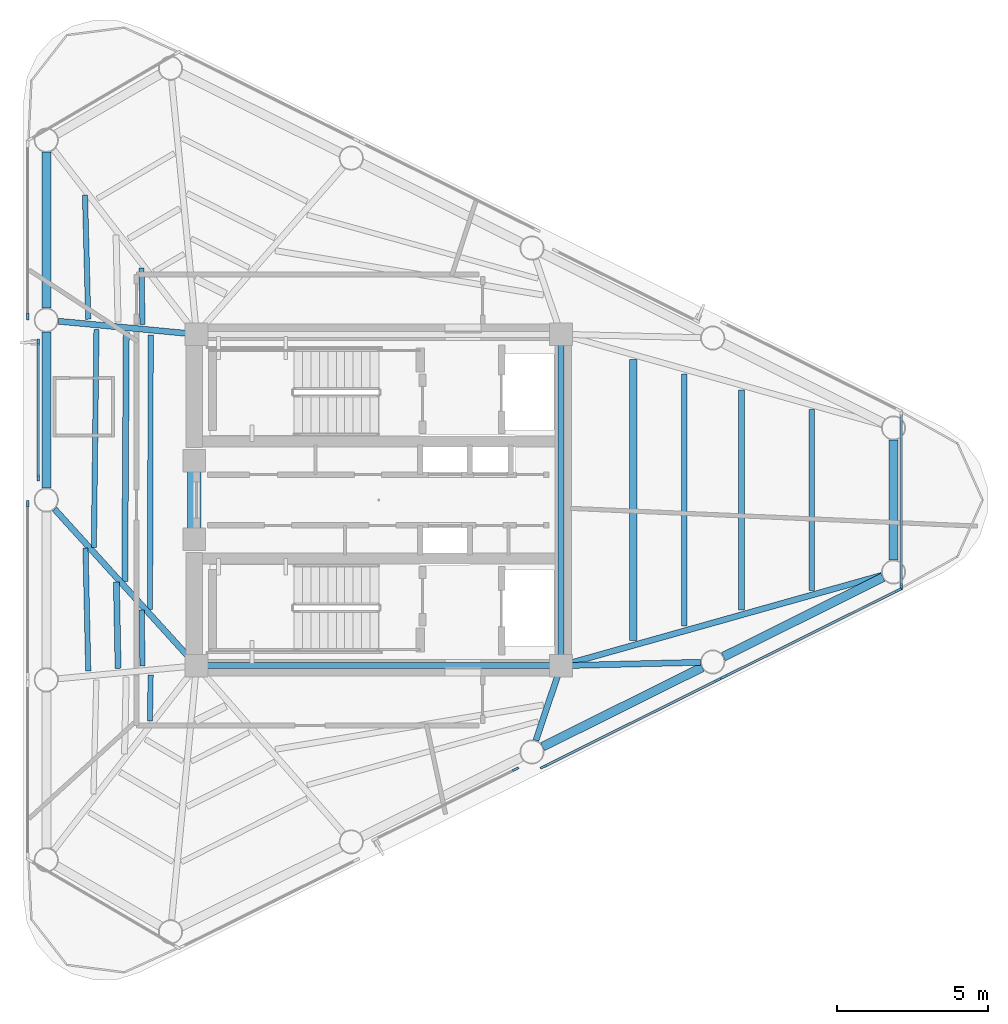
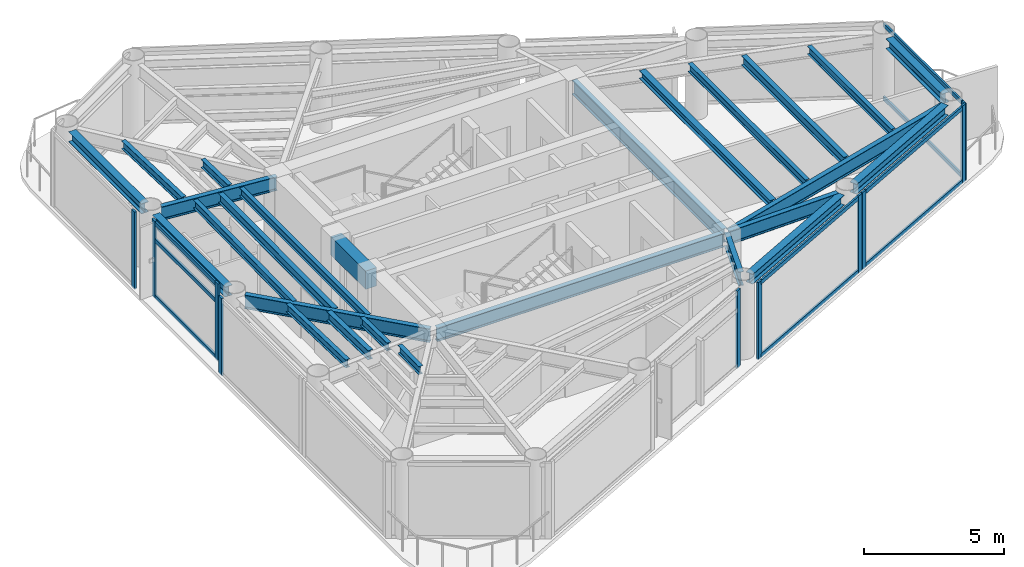
# One storey, part 2 of 10: 26 beams, 19 members, 7 elements without a shape of their own.
"""IFC4 building model written with IfcOpenShell, lengths in metres."""

from ifc_helpers import new_model, si_unit, direction, frame, origin, origin_2d, place, context, subcontext, project, spatial, rectangle, i_section, extrude, source, transform, mapped, material, layer, layer_set, material_profile, profile_set, type_object, element, aggregate, save


model = new_model("IFC4")

# Units and contexts
model_context = context("Model", 3, precision=1e-05, world=origin(), true_north=direction((0.0, 1.0)))
body_context = subcontext(model_context, "Body", "Model", "MODEL_VIEW")
ifc_project = project(units=[si_unit("LENGTHUNIT", "METRE"), si_unit("AREAUNIT", "SQUARE_METRE"), si_unit("VOLUMEUNIT", "CUBIC_METRE"), si_unit("PLANEANGLEUNIT", "RADIAN"), si_unit("MASSUNIT", "GRAM", prefix="KILO")], contexts=[model_context])

# Site, building, storey
site_placement = place(None, origin())
site = spatial("IfcSite", under=ifc_project, at=site_placement, CompositionType="ELEMENT")
building_placement = place(site_placement, origin())
building = spatial("IfcBuilding", under=site, at=building_placement, Name="Yunling Apex Tower", CompositionType="ELEMENT")
storey_placement = place(building_placement, frame((0.0, 0.0, 293.300048828125)))
storey = spatial("IfcBuildingStorey", under=building, at=storey_placement, Name="L71", CompositionType="ELEMENT", Elevation=293.300048828125)

# Beams
ifc_material_1 = material(Name="Concrete C40", Category="concrete")
ifc_material_profile_1 = material_profile(ifc_material_1, rectangle(XDim=0.449951171875, YDim=0.800048828125, at=origin_2d()))
ifc_profile_set_1 = profile_set([ifc_material_profile_1], Name="Concrete C40")
beam_type_1 = type_object("IfcBeamType", Name="BC-CPL-3", PredefinedType="BEAM", material=ifc_profile_set_1)
shared_shape_1 = source(origin(), body_context, "Body", "SweptSolid", [
    extrude(rectangle(XDim=0.449951171875, YDim=0.800048828125, at=origin_2d()), origin(), (0.0, 0.0, 1.0), 2.5),
])
beam_1_placement = place(storey_placement, frame((-6.125, -1.25, 2.869873046875), z_axis=(0.0, 1.0, 0.0), x_axis=(-1.0, 0.0, 0.0)))
element("IfcBeam", 1, at=beam_1_placement, inside=storey, type_object=beam_type_1, Name="L71 Core West Portal Coupling Beam", PredefinedType="BEAM", context=body_context, shape_type="MappedRepresentation", body=[
    mapped(shared_shape_1, transform((0.0, 0.0, 0.0), scale=1.0)),
])
ifc_material_2 = material(Name="Steel Q355B", Category="steel")
ifc_material_profile_2 = material_profile(ifc_material_2, i_section(OverallWidth=0.199951171875, OverallDepth=0.60009765625, WebThickness=0.010986328125, FlangeThickness=0.01708984375, FilletRadius=0.02197265625, at=origin_2d()))
ifc_profile_set_2 = profile_set([ifc_material_profile_2], Name="Steel Q355B")
beam_type_2 = type_object("IfcBeamType", Name="BG-PRI-5", PredefinedType="USERDEFINED", material=ifc_profile_set_2)
shared_shape_2 = source(origin(), body_context, "Body", "SweptSolid", [
    extrude(i_section(OverallWidth=0.199951171875, OverallDepth=0.60009765625, WebThickness=0.010986328125, FlangeThickness=0.01708984375, FilletRadius=0.02197265625, at=origin_2d()), origin(), (0.0, 0.0, 1.0), 11.7998046875),
])
beam_2_placement = place(storey_placement, frame((-5.89990234375, -5.5, 2.969970703125), z_axis=(1.0, 0.0, 0.0), x_axis=(0.0, 1.0, 0.0)))
element("IfcBeam", 2, at=beam_2_placement, inside=storey, type_object=beam_type_2, Name="L71 Core Ring Tie Beam 1", ObjectType="GIRDER", PredefinedType="USERDEFINED", context=body_context, shape_type="MappedRepresentation", body=[
    mapped(shared_shape_2, transform((0.0, 0.0, 0.0), scale=1.0)),
])
shared_shape_3 = source(origin(), body_context, "Body", "SweptSolid", [
    extrude(i_section(OverallWidth=0.199951171875, OverallDepth=0.60009765625, WebThickness=0.010986328125, FlangeThickness=0.01708984375, FilletRadius=0.02197265625, at=origin_2d()), origin(), (0.0, 0.0, 1.0), 10.7001953125),
])
beam_3_placement = place(storey_placement, frame((6.050048828125, -5.35009765625, 2.969970703125), z_axis=(0.0, 1.0, 0.0), x_axis=(-1.0, 0.0, 0.0)))
element("IfcBeam", 3, at=beam_3_placement, inside=storey, type_object=beam_type_2, Name="L71 Core Ring Tie Beam 2", ObjectType="GIRDER", PredefinedType="USERDEFINED", context=body_context, shape_type="MappedRepresentation", body=[
    mapped(shared_shape_3, transform((0.0, 0.0, 0.0), scale=1.0)),
])
ifc_material_profile_3 = material_profile(ifc_material_2, i_section(OverallWidth=0.300048828125, OverallDepth=0.43994140625, WebThickness=0.010986328125, FlangeThickness=0.01806640625, FilletRadius=0.02197265625, at=origin_2d()))
ifc_profile_set_3 = profile_set([ifc_material_profile_3], Name="Steel Q355B")
beam_type_3 = type_object("IfcBeamType", Name="BP-SPN-3", PredefinedType="SPANDREL", material=ifc_profile_set_3)
shared_shape_4 = source(origin(), body_context, "Body", "SweptSolid", [
    extrude(i_section(OverallWidth=0.300048828125, OverallDepth=0.43994140625, WebThickness=0.010986328125, FlangeThickness=0.01806640625, FilletRadius=0.02197265625, at=origin_2d()), origin(), (0.0, 0.0, 1.0), 5.9140625),
])
for number, where, z_axis, x_axis, name in (
    (4, (5.43896484375, -8.1884765625, 3.050048828125), (0.895259510924, 0.445545068539, 0.0), (-0.445545068539, 0.895259510924, 0.0), "L71 Perimeter Spandrel Beam 3"),
    (5, (11.439208984375, -5.2021484375, 3.050048828125), (0.895259510924, 0.445545068539, 0.0), (-0.445545068539, 0.895259510924, 0.0), "L71 Perimeter Spandrel Beam 4"),
):
    element("IfcBeam", number, at=place(storey_placement, frame(where, z_axis=z_axis, x_axis=x_axis)), inside=storey, type_object=beam_type_3, Name=name, PredefinedType="SPANDREL", context=body_context, shape_type="MappedRepresentation", body=[
        mapped(shared_shape_4, transform((0.0, 0.0, 0.0), scale=1.0)),
    ])
shared_shape_5 = source(origin(), body_context, "Body", "SweptSolid", [
    extrude(i_section(OverallWidth=0.300048828125, OverallDepth=0.43994140625, WebThickness=0.010986328125, FlangeThickness=0.01806640625, FilletRadius=0.02197265625, at=origin_2d()), origin(), (0.0, 0.0, 1.0), 3.9951171875),
])
beam_4_placement = place(storey_placement, frame((17.086669921875, -1.99755859375, 3.050048828125), z_axis=(0.0, 1.0, 0.0), x_axis=(-1.0, 0.0, 0.0)))
element("IfcBeam", 6, at=beam_4_placement, inside=storey, type_object=beam_type_3, Name="L71 Perimeter Spandrel Beam 5", PredefinedType="SPANDREL", context=body_context, shape_type="MappedRepresentation", body=[
    mapped(shared_shape_5, transform((0.0, 0.0, 0.0), scale=1.0)),
])
shared_shape_6 = source(origin(), body_context, "Body", "SweptSolid", [
    extrude(i_section(OverallWidth=0.300048828125, OverallDepth=0.43994140625, WebThickness=0.010986328125, FlangeThickness=0.01806640625, FilletRadius=0.02197265625, at=origin_2d()), origin(), (0.0, 0.0, 1.0), 5.1845703125),
])
for number, where, z_axis, x_axis, name in (
    (7, (-11.037353515625, 11.55126953125, 3.050048828125), (0.0, -1.0, 0.0), (1.0, 0.0, 0.0), "L71 Perimeter Spandrel Beam 11"),
    (8, (-11.037353515625, 5.57861328125, 3.050048828125), (0.0, -1.0, 0.0), (1.0, 0.0, 0.0), "L71 Perimeter Spandrel Beam 12"),
):
    element("IfcBeam", number, at=place(storey_placement, frame(where, z_axis=z_axis, x_axis=x_axis)), inside=storey, type_object=beam_type_3, Name=name, PredefinedType="SPANDREL", context=body_context, shape_type="MappedRepresentation", body=[
        mapped(shared_shape_6, transform((0.0, 0.0, 0.0), scale=1.0)),
    ])
shared_shape_7 = source(origin(), body_context, "Body", "SweptSolid", [
    extrude(i_section(OverallWidth=0.199951171875, OverallDepth=0.60009765625, WebThickness=0.010986328125, FlangeThickness=0.01708984375, FilletRadius=0.02197265625, at=origin_2d()), origin(), (0.0, 0.0, 1.0), 2.533935546875),
])
beam_5_placement = place(storey_placement, frame((5.21630859375, -7.977294921875, 2.969970703125), z_axis=(0.318914628896, 0.947783445454, 0.0), x_axis=(-0.947783445454, 0.318914628896, 0.0)))
element("IfcBeam", 9, at=beam_5_placement, inside=storey, type_object=beam_type_2, Name="L71 Radial Primary Girder R03", ObjectType="GIRDER", PredefinedType="USERDEFINED", context=body_context, shape_type="MappedRepresentation", body=[
    mapped(shared_shape_7, transform((0.0, 0.0, 0.0), scale=1.0)),
])
shared_shape_8 = source(origin(), body_context, "Body", "SweptSolid", [
    extrude(i_section(OverallWidth=0.199951171875, OverallDepth=0.60009765625, WebThickness=0.010986328125, FlangeThickness=0.01708984375, FilletRadius=0.02197265625, at=origin_2d()), origin(), (0.0, 0.0, 1.0), 4.5498046875),
])
beam_6_placement = place(storey_placement, frame((10.678466796875, -5.3876953125, 2.969970703125), z_axis=(-0.999705840498, -0.024253504369, 0.0), x_axis=(0.024253504369, -0.999705840498, 0.0)))
element("IfcBeam", 10, at=beam_6_placement, inside=storey, type_object=beam_type_2, Name="L71 Radial Primary Girder R04", ObjectType="GIRDER", PredefinedType="USERDEFINED", context=body_context, shape_type="MappedRepresentation", body=[
    mapped(shared_shape_8, transform((0.0, 0.0, 0.0), scale=1.0)),
])
shared_shape_9 = source(origin(), body_context, "Body", "SweptSolid", [
    extrude(i_section(OverallWidth=0.199951171875, OverallDepth=0.60009765625, WebThickness=0.010986328125, FlangeThickness=0.01708984375, FilletRadius=0.02197265625, at=origin_2d()), origin(), (0.0, 0.0, 1.0), 10.97802734375),
])
beam_7_placement = place(storey_placement, frame((16.69384765625, -2.502197265625, 2.969970703125), z_axis=(-0.962552702816, -0.271094622414, 0.0), x_axis=(0.271094622414, -0.962552702816, 0.0)))
element("IfcBeam", 11, at=beam_7_placement, inside=storey, type_object=beam_type_2, Name="L71 Radial Primary Girder R05", ObjectType="GIRDER", PredefinedType="USERDEFINED", context=body_context, shape_type="MappedRepresentation", body=[
    mapped(shared_shape_9, transform((0.0, 0.0, 0.0), scale=1.0)),
])
shared_shape_10 = source(origin(), body_context, "Body", "SweptSolid", [
    extrude(i_section(OverallWidth=0.199951171875, OverallDepth=0.60009765625, WebThickness=0.010986328125, FlangeThickness=0.01708984375, FilletRadius=0.02197265625, at=origin_2d()), origin(), (0.0, 0.0, 1.0), 4.521728515625),
])
beam_8_placement = place(storey_placement, frame((-10.631103515625, 5.93408203125, 2.969970703125), z_axis=(0.99554122067, -0.094327503661, 0.0), x_axis=(0.094327503661, 0.99554122067, 0.0)))
element("IfcBeam", 12, at=beam_8_placement, inside=storey, type_object=beam_type_2, Name="L71 Radial Primary Girder R12", ObjectType="GIRDER", PredefinedType="USERDEFINED", context=body_context, shape_type="MappedRepresentation", body=[
    mapped(shared_shape_10, transform((0.0, 0.0, 0.0), scale=1.0)),
])
shared_shape_11 = source(origin(), body_context, "Body", "SweptSolid", [
    extrude(i_section(OverallWidth=0.199951171875, OverallDepth=0.60009765625, WebThickness=0.010986328125, FlangeThickness=0.01708984375, FilletRadius=0.02197265625, at=origin_2d()), origin(), (0.0, 0.0, 1.0), 6.9365234375),
])
beam_9_placement = place(storey_placement, frame((-10.76318359375, -0.30224609375, 2.969970703125), z_axis=(0.671734994532, -0.740791534185, 0.0), x_axis=(0.740791534185, 0.671734994532, 0.0)))
element("IfcBeam", 13, at=beam_9_placement, inside=storey, type_object=beam_type_2, Name="L71 Radial Primary Girder R13", ObjectType="GIRDER", PredefinedType="USERDEFINED", context=body_context, shape_type="MappedRepresentation", body=[
    mapped(shared_shape_11, transform((0.0, 0.0, 0.0), scale=1.0)),
])
ifc_material_profile_4 = material_profile(ifc_material_2, i_section(OverallWidth=0.199951171875, OverallDepth=0.39990234375, WebThickness=0.008056640625, FlangeThickness=0.012939453125, FilletRadius=0.01611328125, at=origin_2d()))
ifc_profile_set_4 = profile_set([ifc_material_profile_4], Name="Steel Q355B")
beam_type_4 = type_object("IfcBeamType", Name="BS-SEC-4", PredefinedType="BEAM", material=ifc_profile_set_4)
shared_shape_12 = source(origin(), body_context, "Body", "SweptSolid", [
    extrude(i_section(OverallWidth=0.199951171875, OverallDepth=0.39990234375, WebThickness=0.008056640625, FlangeThickness=0.012939453125, FilletRadius=0.01611328125, at=origin_2d()), origin(), (0.0, 0.0, 1.0), 7.30322265625),
])
beam_10_placement = place(storey_placement, frame((12.04443359375, -3.651611328125, 3.070068359375), z_axis=(0.0, 1.0, 0.0), x_axis=(-1.0, 0.0, 0.0)))
element("IfcBeam", 14, at=beam_10_placement, inside=storey, type_object=beam_type_4, Name="L71 Composite Floor Beam BS-5", PredefinedType="BEAM", context=body_context, shape_type="MappedRepresentation", body=[
    mapped(shared_shape_12, transform((0.0, 0.0, 0.0), scale=1.0)),
])
ifc_material_profile_5 = material_profile(ifc_material_2, i_section(OverallWidth=0.175048828125, OverallDepth=0.35009765625, WebThickness=0.007080078125, FlangeThickness=0.010986328125, FilletRadius=0.013916015625, at=origin_2d()))
ifc_profile_set_5 = profile_set([ifc_material_profile_5], Name="Steel Q355B")
beam_type_5 = type_object("IfcBeamType", Name="BJ-JST-1", PredefinedType="JOIST", material=ifc_profile_set_5)
shared_shape_13 = source(origin(), body_context, "Body", "SweptSolid", [
    extrude(i_section(OverallWidth=0.175048828125, OverallDepth=0.35009765625, WebThickness=0.007080078125, FlangeThickness=0.010986328125, FilletRadius=0.013916015625, at=origin_2d()), origin(), (0.0, 0.0, 1.0), 5.99365234375),
])
beam_11_placement = place(storey_placement, frame((14.369140625, -2.996826171875, 3.094970703125), z_axis=(0.0, 1.0, 0.0), x_axis=(-1.0, 0.0, 0.0)))
element("IfcBeam", 15, at=beam_11_placement, inside=storey, type_object=beam_type_5, Name="L71 Composite Floor Joist BJ1-5", PredefinedType="JOIST", context=body_context, shape_type="MappedRepresentation", body=[
    mapped(shared_shape_13, transform((0.0, 0.0, 0.0), scale=1.0)),
])
shared_shape_14 = source(origin(), body_context, "Body", "SweptSolid", [
    extrude(i_section(OverallWidth=0.175048828125, OverallDepth=0.35009765625, WebThickness=0.007080078125, FlangeThickness=0.010986328125, FilletRadius=0.013916015625, at=origin_2d()), origin(), (0.0, 0.0, 1.0), 8.37451171875),
])
beam_12_placement = place(storey_placement, frame((10.142333984375, -4.187255859375, 3.094970703125), z_axis=(0.0, 1.0, 0.0), x_axis=(-1.0, 0.0, 0.0)))
element("IfcBeam", 16, at=beam_12_placement, inside=storey, type_object=beam_type_5, Name="L71 Composite Floor Joist BJ3-5", PredefinedType="JOIST", context=body_context, shape_type="MappedRepresentation", body=[
    mapped(shared_shape_14, transform((0.0, 0.0, 0.0), scale=1.0)),
])
ifc_material_profile_6 = material_profile(ifc_material_2, i_section(OverallWidth=0.25, OverallDepth=0.340087890625, WebThickness=0.009033203125, FlangeThickness=0.013916015625, FilletRadius=0.01806640625, at=origin_2d()))
ifc_profile_set_6 = profile_set([ifc_material_profile_6], Name="Steel Q355B")
beam_type_6 = type_object("IfcBeamType", Name="BJ-JST-2", PredefinedType="JOIST", material=ifc_profile_set_6)
shared_shape_15 = source(origin(), body_context, "Body", "SweptSolid", [
    extrude(i_section(OverallWidth=0.25, OverallDepth=0.340087890625, WebThickness=0.009033203125, FlangeThickness=0.013916015625, FilletRadius=0.01806640625, at=origin_2d()), origin(), (0.0, 0.0, 1.0), 9.3271484375),
])
beam_13_placement = place(storey_placement, frame((8.45166015625, -4.66357421875, 3.099853515625), z_axis=(0.0, 1.0, 0.0), x_axis=(-1.0, 0.0, 0.0)))
element("IfcBeam", 17, at=beam_13_placement, inside=storey, type_object=beam_type_6, Name="L71 Composite Floor Joist BJ2-5", PredefinedType="JOIST", context=body_context, shape_type="MappedRepresentation", body=[
    mapped(shared_shape_15, transform((0.0, 0.0, 0.0), scale=1.0)),
])
shared_shape_16 = source(origin(), body_context, "Body", "SweptSolid", [
    extrude(i_section(OverallWidth=0.175048828125, OverallDepth=0.35009765625, WebThickness=0.007080078125, FlangeThickness=0.010986328125, FilletRadius=0.013916015625, at=origin_2d()), origin(), (0.0, 0.0, 1.0), 4.130859375),
])
beam_14_placement = place(storey_placement, frame((-9.751953125, 10.129638671875, 3.094970703125), z_axis=(0.025887029391, -0.9996648747, 0.0), x_axis=(0.9996648747, 0.025887029391, 0.0)))
element("IfcBeam", 18, at=beam_14_placement, inside=storey, type_object=beam_type_5, Name="L71 Composite Floor Joist BJ1-11", PredefinedType="JOIST", context=body_context, shape_type="MappedRepresentation", body=[
    mapped(shared_shape_16, transform((0.0, 0.0, 0.0), scale=1.0)),
])
shared_shape_17 = source(origin(), body_context, "Body", "SweptSolid", [
    extrude(i_section(OverallWidth=0.175048828125, OverallDepth=0.35009765625, WebThickness=0.007080078125, FlangeThickness=0.010986328125, FilletRadius=0.013916015625, at=origin_2d()), origin(), (0.0, 0.0, 1.0), 1.87646484375),
])
beam_15_placement = place(storey_placement, frame((-7.877685546875, 7.705810546875, 3.094970703125), z_axis=(0.01847440018, -0.999829333705, 0.0), x_axis=(0.999829333705, 0.01847440018, 0.0)))
element("IfcBeam", 19, at=beam_15_placement, inside=storey, type_object=beam_type_5, Name="L71 Composite Floor Joist BJ3-11", PredefinedType="JOIST", context=body_context, shape_type="MappedRepresentation", body=[
    mapped(shared_shape_17, transform((0.0, 0.0, 0.0), scale=1.0)),
])
shared_shape_18 = source(origin(), body_context, "Body", "SweptSolid", [
    extrude(i_section(OverallWidth=0.199951171875, OverallDepth=0.39990234375, WebThickness=0.008056640625, FlangeThickness=0.012939453125, FilletRadius=0.01611328125, at=origin_2d()), origin(), (0.0, 0.0, 1.0), 8.2724609375),
])
beam_16_placement = place(storey_placement, frame((-8.38134765625, 5.560791015625, 3.070068359375), z_axis=(-0.006197679272, -0.999980794201, 0.0), x_axis=(0.999980794201, -0.006197679272, 0.0)))
element("IfcBeam", 20, at=beam_16_placement, inside=storey, type_object=beam_type_4, Name="L71 Composite Floor Beam BS-12", PredefinedType="BEAM", context=body_context, shape_type="MappedRepresentation", body=[
    mapped(shared_shape_18, transform((0.0, 0.0, 0.0), scale=1.0)),
])
shared_shape_19 = source(origin(), body_context, "Body", "SweptSolid", [
    extrude(i_section(OverallWidth=0.175048828125, OverallDepth=0.35009765625, WebThickness=0.007080078125, FlangeThickness=0.010986328125, FilletRadius=0.013916015625, at=origin_2d()), origin(), (0.0, 0.0, 1.0), 7.236328125),
])
beam_17_placement = place(storey_placement, frame((-9.37255859375, 5.65478515625, 3.094970703125), z_axis=(-0.011639673006, -0.999932256712, 0.0), x_axis=(0.999932256712, -0.011639673006, 0.0)))
element("IfcBeam", 21, at=beam_17_placement, inside=storey, type_object=beam_type_5, Name="L71 Composite Floor Joist BJ1-12", PredefinedType="JOIST", context=body_context, shape_type="MappedRepresentation", body=[
    mapped(shared_shape_19, transform((0.0, 0.0, 0.0), scale=1.0)),
])
shared_shape_20 = source(origin(), body_context, "Body", "SweptSolid", [
    extrude(i_section(OverallWidth=0.175048828125, OverallDepth=0.35009765625, WebThickness=0.007080078125, FlangeThickness=0.010986328125, FilletRadius=0.013916015625, at=origin_2d()), origin(), (0.0, 0.0, 1.0), 9.120361328125),
])
beam_18_placement = place(storey_placement, frame((-7.570556640625, 5.48388671875, 3.094970703125), z_axis=(-0.002596559494, -0.999996628934, 0.0), x_axis=(0.999996628934, -0.002596559494, 0.0)))
element("IfcBeam", 22, at=beam_18_placement, inside=storey, type_object=beam_type_5, Name="L71 Composite Floor Joist BJ3-12", PredefinedType="JOIST", context=body_context, shape_type="MappedRepresentation", body=[
    mapped(shared_shape_20, transform((0.0, 0.0, 0.0), scale=1.0)),
])
shared_shape_21 = source(origin(), body_context, "Body", "SweptSolid", [
    extrude(i_section(OverallWidth=0.199951171875, OverallDepth=0.39990234375, WebThickness=0.008056640625, FlangeThickness=0.012939453125, FilletRadius=0.01611328125, at=origin_2d()), origin(), (0.0, 0.0, 1.0), 2.86376953125),
])
beam_19_placement = place(storey_placement, frame((-8.7099609375, -2.72314453125, 3.070068359375), z_axis=(0.019692633422, -0.999806081292, 0.0), x_axis=(0.999806081292, 0.019692633422, 0.0)))
element("IfcBeam", 23, at=beam_19_placement, inside=storey, type_object=beam_type_4, Name="L71 Composite Floor Beam BS-13", PredefinedType="BEAM", context=body_context, shape_type="MappedRepresentation", body=[
    mapped(shared_shape_21, transform((0.0, 0.0, 0.0), scale=1.0)),
])
shared_shape_22 = source(origin(), body_context, "Body", "SweptSolid", [
    extrude(i_section(OverallWidth=0.175048828125, OverallDepth=0.35009765625, WebThickness=0.007080078125, FlangeThickness=0.010986328125, FilletRadius=0.013916015625, at=origin_2d()), origin(), (0.0, 0.0, 1.0), 4.0888671875),
])
beam_20_placement = place(storey_placement, frame((-9.734619140625, -1.592529296875, 3.094970703125), z_axis=(0.022092074649, -0.999755940336, 0.0), x_axis=(0.999755940336, 0.022092074649, 0.0)))
element("IfcBeam", 24, at=beam_20_placement, inside=storey, type_object=beam_type_5, Name="L71 Composite Floor Joist BJ1-13", PredefinedType="JOIST", context=body_context, shape_type="MappedRepresentation", body=[
    mapped(shared_shape_22, transform((0.0, 0.0, 0.0), scale=1.0)),
])
shared_shape_23 = source(origin(), body_context, "Body", "SweptSolid", [
    extrude(i_section(OverallWidth=0.175048828125, OverallDepth=0.35009765625, WebThickness=0.007080078125, FlangeThickness=0.010986328125, FilletRadius=0.013916015625, at=origin_2d()), origin(), (0.0, 0.0, 1.0), 1.861572265625),
])
beam_21_placement = place(storey_placement, frame((-7.871826171875, -3.648193359375, 3.094970703125), z_axis=(0.015606703404, -0.999878207988, 0.0), x_axis=(0.999878207988, 0.015606703404, 0.0)))
element("IfcBeam", 25, at=beam_21_placement, inside=storey, type_object=beam_type_5, Name="L71 Composite Floor Joist BJ3-13", PredefinedType="JOIST", context=body_context, shape_type="MappedRepresentation", body=[
    mapped(shared_shape_23, transform((0.0, 0.0, 0.0), scale=1.0)),
])
shared_shape_24 = source(origin(), body_context, "Body", "SweptSolid", [
    extrude(i_section(OverallWidth=0.175048828125, OverallDepth=0.35009765625, WebThickness=0.007080078125, FlangeThickness=0.010986328125, FilletRadius=0.013916015625, at=origin_2d()), origin(), (0.0, 0.0, 1.0), 1.53857421875),
])
beam_22_placement = place(storey_placement, frame((-7.572509765625, -5.803955078125, 3.094970703125), z_axis=(-0.015709852828, -0.999876592647, 0.0), x_axis=(0.999876592647, -0.015709852828, 0.0)))
element("IfcBeam", 26, at=beam_22_placement, inside=storey, type_object=beam_type_5, Name="L71 Composite Floor Joist BJ3-14", PredefinedType="JOIST", context=body_context, shape_type="MappedRepresentation", body=[
    mapped(shared_shape_24, transform((0.0, 0.0, 0.0), scale=1.0)),
])

# Curtain wall, members
ifc_material_3 = material(Name="Bronze anodised aluminium", Category="aluminium")
ifc_layer = layer(ifc_material_3, 0.219970703125)
ifc_layer_set = layer_set([ifc_layer], Name="Bronze anodised aluminium")
curtain_wall_type = type_object("IfcCurtainWallType", Name="CW-SYS-4", PredefinedType="NOTDEFINED", material=ifc_layer_set)
curtain_wall_1_placement = place(storey_placement, origin())
curtain_wall_1 = element("IfcCurtainWall", 27, at=curtain_wall_1_placement, inside=storey, type_object=curtain_wall_type, Name="CW-L71-F1-B3", PredefinedType="NOTDEFINED")
ifc_material_profile_7 = material_profile(ifc_material_3, rectangle(XDim=0.080078125, YDim=0.169921875, at=origin_2d()))
ifc_profile_set_7 = profile_set([ifc_material_profile_7], Name="Bronze anodised aluminium")
member_type_1 = type_object("IfcMemberType", Name="CW-TRN-4", PredefinedType="USERDEFINED", material=ifc_profile_set_7)
shared_shape_25 = source(origin(), body_context, "Body", "SweptSolid", [
    extrude(rectangle(XDim=0.080078125, YDim=0.169921875, at=origin_2d()), origin(), (0.0, 0.0, 1.0), 6.39013671875),
])
member_1_placement = place(storey_placement, frame((5.497802734375, -8.8408203125, 0.0400390625), z_axis=(0.895235684646, 0.445592940851, 0.0), x_axis=(-0.445592940851, 0.895235684646, 0.0)))
member_1 = element("IfcMember", 28, at=member_1_placement, type_object=member_type_1, Name="CW-SYS-4 transom 1.1", ObjectType="TRANSOM", PredefinedType="USERDEFINED", context=body_context, shape_type="MappedRepresentation", body=[
    mapped(shared_shape_25, transform((0.0, 0.0, 0.0), scale=1.0)),
])
member_2_placement = place(storey_placement, frame((5.497802734375, -8.8408203125, 3.22998046875), z_axis=(0.895235684646, 0.445592940851, 0.0), x_axis=(-0.445592940851, 0.895235684646, 0.0)))
member_2 = element("IfcMember", 29, at=member_2_placement, type_object=member_type_1, Name="CW-SYS-4 transom 1.2", ObjectType="TRANSOM", PredefinedType="USERDEFINED", context=body_context, shape_type="MappedRepresentation", body=[
    mapped(shared_shape_25, transform((0.0, 0.0, 0.0), scale=1.0)),
])

curtain_wall_2_placement = place(storey_placement, origin())
curtain_wall_2 = element("IfcCurtainWall", 30, at=curtain_wall_2_placement, inside=storey, type_object=curtain_wall_type, Name="CW-L71-F1-B4", PredefinedType="NOTDEFINED")
shared_shape_26 = source(origin(), body_context, "Body", "SweptSolid", [
    extrude(rectangle(XDim=0.080078125, YDim=0.169921875, at=origin_2d()), origin(), (0.0, 0.0, 1.0), 6.390380859375),
])
member_3_placement = place(storey_placement, frame((11.497802734375, -5.854248046875, 0.0400390625), z_axis=(0.895258509594, 0.445547080565, 0.0), x_axis=(-0.445547080565, 0.895258509594, 0.0)))
member_3 = element("IfcMember", 31, at=member_3_placement, type_object=member_type_1, Name="CW-SYS-4 transom 1.1", ObjectType="TRANSOM", PredefinedType="USERDEFINED", context=body_context, shape_type="MappedRepresentation", body=[
    mapped(shared_shape_26, transform((0.0, 0.0, 0.0), scale=1.0)),
])
member_4_placement = place(storey_placement, frame((11.497802734375, -5.854248046875, 3.22998046875), z_axis=(0.895258509594, 0.445547080565, 0.0), x_axis=(-0.445547080565, 0.895258509594, 0.0)))
member_4 = element("IfcMember", 32, at=member_4_placement, type_object=member_type_1, Name="CW-SYS-4 transom 1.2", ObjectType="TRANSOM", PredefinedType="USERDEFINED", context=body_context, shape_type="MappedRepresentation", body=[
    mapped(shared_shape_26, transform((0.0, 0.0, 0.0), scale=1.0)),
])

curtain_wall_3_placement = place(storey_placement, origin())
curtain_wall_3 = element("IfcCurtainWall", 33, at=curtain_wall_3_placement, inside=storey, type_object=curtain_wall_type, Name="CW-L71-CRN1", PredefinedType="NOTDEFINED")
shared_shape_27 = source(origin(), body_context, "Body", "SweptSolid", [
    extrude(rectangle(XDim=0.080078125, YDim=0.169921875, at=origin_2d()), origin(), (0.0, 0.0, 1.0), 5.6875),
])
member_5_placement = place(storey_placement, frame((17.349365234375, -2.84375, 0.0400390625), z_axis=(0.0, 1.0, 0.0), x_axis=(-1.0, 0.0, 0.0)))
member_5 = element("IfcMember", 34, at=member_5_placement, type_object=member_type_1, Name="CW-SYS-4 transom 1.1", ObjectType="TRANSOM", PredefinedType="USERDEFINED", context=body_context, shape_type="MappedRepresentation", body=[
    mapped(shared_shape_27, transform((0.0, 0.0, 0.0), scale=1.0)),
])
member_6_placement = place(storey_placement, frame((17.349365234375, -2.84375, 3.22998046875), z_axis=(0.0, 1.0, 0.0), x_axis=(-1.0, 0.0, 0.0)))
member_6 = element("IfcMember", 35, at=member_6_placement, type_object=member_type_1, Name="CW-SYS-4 transom 1.2", ObjectType="TRANSOM", PredefinedType="USERDEFINED", context=body_context, shape_type="MappedRepresentation", body=[
    mapped(shared_shape_27, transform((0.0, 0.0, 0.0), scale=1.0)),
])

curtain_wall_4_placement = place(storey_placement, origin())
curtain_wall_4 = element("IfcCurtainWall", 36, at=curtain_wall_4_placement, inside=storey, type_object=curtain_wall_type, Name="CW-L71-F3-B2", PredefinedType="NOTDEFINED")
shared_shape_28 = source(origin(), body_context, "Body", "SweptSolid", [
    extrude(rectangle(XDim=0.080078125, YDim=0.169921875, at=origin_2d()), origin(), (0.0, 0.0, 1.0), 4.420654296875),
])
member_7_placement = place(storey_placement, frame((-11.307373046875, 5.196533203125, 0.0400390625), z_axis=(0.0, -1.0, 0.0), x_axis=(1.0, 0.0, 0.0)))
member_7 = element("IfcMember", 37, at=member_7_placement, type_object=member_type_1, Name="CW-SYS-4 transom 1.1", ObjectType="TRANSOM", PredefinedType="USERDEFINED", context=body_context, shape_type="MappedRepresentation", body=[
    mapped(shared_shape_28, transform((0.0, 0.0, 0.0), scale=1.0)),
])
member_8_placement = place(storey_placement, frame((-11.307373046875, 5.196533203125, 2.485107421875), z_axis=(0.0, -1.0, 0.0), x_axis=(1.0, 0.0, 0.0)))
member_8 = element("IfcMember", 38, at=member_8_placement, type_object=member_type_1, Name="CW-SYS-4 transom 1.2", ObjectType="TRANSOM", PredefinedType="USERDEFINED", context=body_context, shape_type="MappedRepresentation", body=[
    mapped(shared_shape_28, transform((0.0, 0.0, 0.0), scale=1.0)),
])
member_9_placement = place(storey_placement, frame((-11.307373046875, 5.196533203125, 3.22998046875), z_axis=(0.0, -1.0, 0.0), x_axis=(1.0, 0.0, 0.0)))
member_9 = element("IfcMember", 39, at=member_9_placement, type_object=member_type_1, Name="CW-SYS-4 transom 1.3", ObjectType="TRANSOM", PredefinedType="USERDEFINED", context=body_context, shape_type="MappedRepresentation", body=[
    mapped(shared_shape_28, transform((0.0, 0.0, 0.0), scale=1.0)),
])

# Curtain wall, member
curtain_wall_5_placement = place(storey_placement, origin())
curtain_wall_5 = element("IfcCurtainWall", 40, at=curtain_wall_5_placement, inside=storey, type_object=curtain_wall_type, Name="CW-L71-F1-B2", PredefinedType="NOTDEFINED")
ifc_material_profile_8 = material_profile(ifc_material_3, rectangle(XDim=0.080078125, YDim=0.219970703125, at=origin_2d()))
ifc_profile_set_8 = profile_set([ifc_material_profile_8], Name="Bronze anodised aluminium")
member_type_2 = type_object("IfcMemberType", Name="CW-MUL-4", PredefinedType="MULLION", material=ifc_profile_set_8)
shared_shape_29 = source(origin(), body_context, "Body", "SweptSolid", [
    extrude(rectangle(XDim=0.080078125, YDim=0.219970703125, at=origin_2d()), origin(), (0.0, 0.0, 1.0), 3.3701171875),
])
member_10_placement = place(storey_placement, frame((4.544189453125, -8.935546875, -0.050048828125), z_axis=(0.0, 0.0, 1.0), x_axis=(-0.445560721723, 0.895251720611, 0.0)))
member_10 = element("IfcMember", 41, at=member_10_placement, type_object=member_type_2, Name="CW-SYS-4 mullion 2", PredefinedType="MULLION", context=body_context, shape_type="MappedRepresentation", body=[
    mapped(shared_shape_29, transform((0.0, 0.0, 0.0), scale=1.0)),
])
aggregate(curtain_wall_5, [member_10])

# Member
member_11_placement = place(storey_placement, frame((5.465576171875, -8.856689453125, -0.050048828125), z_axis=(0.0, 0.0, 1.0), x_axis=(-0.445580385698, 0.895241933715, 0.0)))
member_11 = element("IfcMember", 42, at=member_11_placement, type_object=member_type_2, Name="CW-SYS-4 mullion 1", PredefinedType="MULLION", context=body_context, shape_type="MappedRepresentation", body=[
    mapped(shared_shape_29, transform((0.0, 0.0, 0.0), scale=1.0)),
])

member_12_placement = place(storey_placement, frame((11.250732421875, -5.977294921875, -0.050048828125), z_axis=(0.0, 0.0, 1.0), x_axis=(-0.445580385698, 0.895241933715, 0.0)))
member_12 = element("IfcMember", 43, at=member_12_placement, type_object=member_type_2, Name="CW-SYS-4 mullion 2", PredefinedType="MULLION", context=body_context, shape_type="MappedRepresentation", body=[
    mapped(shared_shape_29, transform((0.0, 0.0, 0.0), scale=1.0)),
])

aggregate(curtain_wall_1, [member_11, member_12, member_1, member_2])

member_13_placement = place(storey_placement, frame((11.465576171875, -5.870361328125, -0.050048828125), z_axis=(0.0, 0.0, 1.0), x_axis=(-0.445568135078, 0.895248030996, 0.0)))
member_13 = element("IfcMember", 44, at=member_13_placement, type_object=member_type_2, Name="CW-SYS-4 mullion 1", PredefinedType="MULLION", context=body_context, shape_type="MappedRepresentation", body=[
    mapped(shared_shape_29, transform((0.0, 0.0, 0.0), scale=1.0)),
])

member_14_placement = place(storey_placement, frame((17.2509765625, -2.990966796875, -0.050048828125), z_axis=(0.0, 0.0, 1.0), x_axis=(-0.445568135078, 0.895248030996, 0.0)))
member_14 = element("IfcMember", 45, at=member_14_placement, type_object=member_type_2, Name="CW-SYS-4 mullion 2", PredefinedType="MULLION", context=body_context, shape_type="MappedRepresentation", body=[
    mapped(shared_shape_29, transform((0.0, 0.0, 0.0), scale=1.0)),
])

aggregate(curtain_wall_2, [member_13, member_14, member_3, member_4])

member_15_placement = place(storey_placement, frame((17.349365234375, -2.879638671875, -0.050048828125), z_axis=(0.0, 0.0, 1.0), x_axis=(-1.0, 0.0, 0.0)))
member_15 = element("IfcMember", 46, at=member_15_placement, type_object=member_type_2, Name="CW-SYS-4 mullion 1", PredefinedType="MULLION", context=body_context, shape_type="MappedRepresentation", body=[
    mapped(shared_shape_29, transform((0.0, 0.0, 0.0), scale=1.0)),
])

aggregate(curtain_wall_3, [member_15, member_5, member_6])

# Curtain wall, member
curtain_wall_6_placement = place(storey_placement, origin())
curtain_wall_6 = element("IfcCurtainWall", 47, at=curtain_wall_6_placement, inside=storey, type_object=curtain_wall_type, Name="CW-L71-F3-B1", PredefinedType="NOTDEFINED")
member_16_placement = place(storey_placement, frame((-11.647216796875, 6.092529296875, -0.050048828125), z_axis=(0.0, 0.0, 1.0), x_axis=(1.0, 0.0, 0.0)))
member_16 = element("IfcMember", 48, at=member_16_placement, type_object=member_type_2, Name="CW-SYS-4 mullion 2", PredefinedType="MULLION", context=body_context, shape_type="MappedRepresentation", body=[
    mapped(shared_shape_29, transform((0.0, 0.0, 0.0), scale=1.0)),
])
aggregate(curtain_wall_6, [member_16])

# Member
member_17_placement = place(storey_placement, frame((-11.307373046875, 5.232666015625, -0.050048828125), z_axis=(0.0, 0.0, 1.0), x_axis=(1.0, 0.0, 0.0)))
member_17 = element("IfcMember", 49, at=member_17_placement, type_object=member_type_2, Name="CW-SYS-4 mullion 1", PredefinedType="MULLION", context=body_context, shape_type="MappedRepresentation", body=[
    mapped(shared_shape_29, transform((0.0, 0.0, 0.0), scale=1.0)),
])

member_18_placement = place(storey_placement, frame((-11.307373046875, 0.739990234375, -0.050048828125), z_axis=(0.0, 0.0, 1.0), x_axis=(1.0, 0.0, 0.0)))
member_18 = element("IfcMember", 50, at=member_18_placement, type_object=member_type_2, Name="CW-SYS-4 mullion 2", PredefinedType="MULLION", context=body_context, shape_type="MappedRepresentation", body=[
    mapped(shared_shape_29, transform((0.0, 0.0, 0.0), scale=1.0)),
])

aggregate(curtain_wall_4, [member_17, member_18, member_7, member_8, member_9])

# Curtain wall, member
curtain_wall_7_placement = place(storey_placement, origin())
curtain_wall_7 = element("IfcCurtainWall", 51, at=curtain_wall_7_placement, inside=storey, type_object=curtain_wall_type, Name="CW-L71-F3-B3", PredefinedType="NOTDEFINED")
member_19_placement = place(storey_placement, frame((-11.647216796875, -0.1201171875, -0.050048828125), z_axis=(0.0, 0.0, 1.0), x_axis=(1.0, 0.0, 0.0)))
member_19 = element("IfcMember", 52, at=member_19_placement, type_object=member_type_2, Name="CW-SYS-4 mullion 1", PredefinedType="MULLION", context=body_context, shape_type="MappedRepresentation", body=[
    mapped(shared_shape_29, transform((0.0, 0.0, 0.0), scale=1.0)),
])
aggregate(curtain_wall_7, [member_19])

save(model, "model.ifc")
